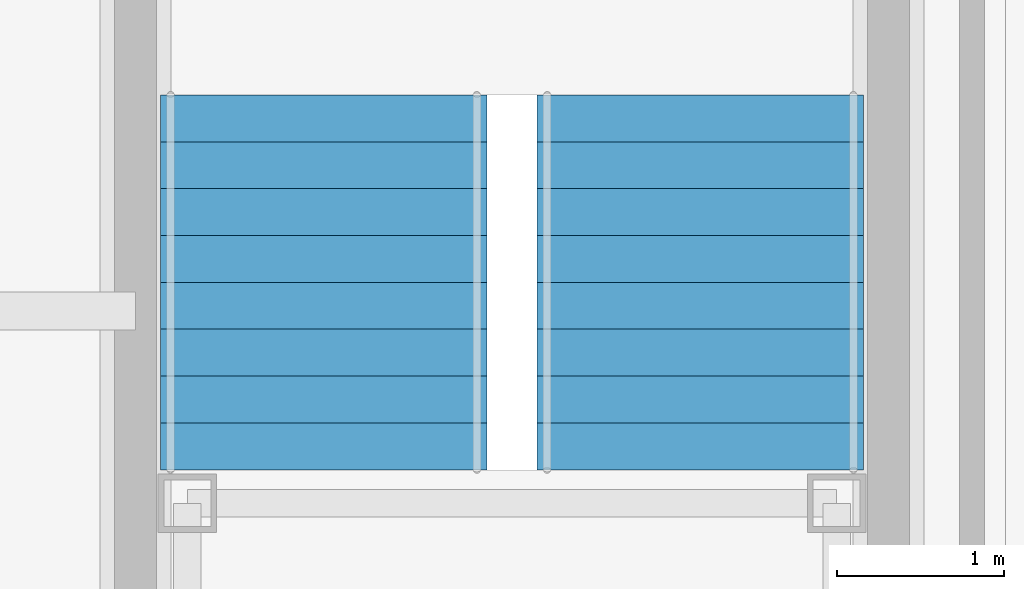
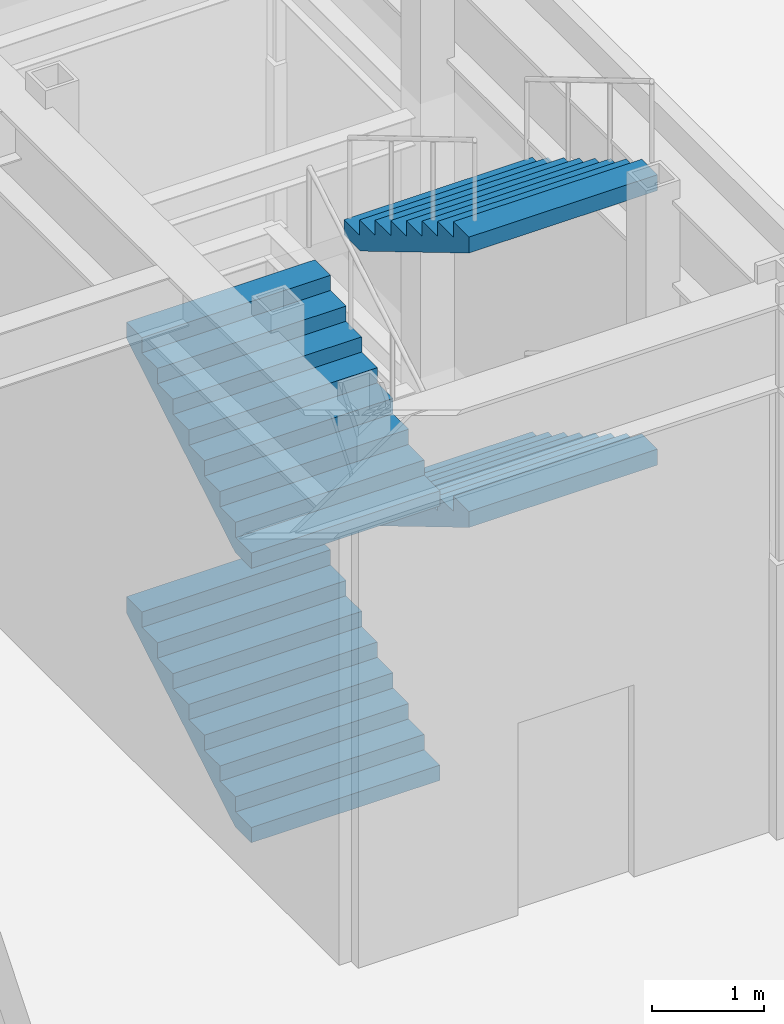
# One storey, part 15 of 35: 4 stair flights, 1 element without a shape of its own.
"""IFC4 building model written with IfcOpenShell, lengths in metres."""

from ifc_helpers import new_model, si_unit, direction, frame, origin, place, context, subcontext, project, spatial, faceted_brep, material, type_object, element, aggregate, save


model = new_model("IFC4")

# Units and contexts
model_context = context("Model", 3, precision=1e-05, world=origin(), true_north=direction((0.0, 1.0)))
body_context = subcontext(model_context, "Body", "Model", "MODEL_VIEW")
ifc_project = project(units=[si_unit("LENGTHUNIT", "METRE"), si_unit("AREAUNIT", "SQUARE_METRE"), si_unit("VOLUMEUNIT", "CUBIC_METRE"), si_unit("PLANEANGLEUNIT", "RADIAN"), si_unit("MASSUNIT", "GRAM", prefix="KILO")], contexts=[model_context])

# Site, building, storey
site_placement = place(None, origin())
site = spatial("IfcSite", under=ifc_project, at=site_placement, CompositionType="ELEMENT")
building_placement = place(site_placement, origin())
building = spatial("IfcBuilding", under=site, at=building_placement, Name="Chuquiago Exchange Tower", CompositionType="ELEMENT")
storey_placement = place(building_placement, origin())
storey = spatial("IfcBuildingStorey", under=building, at=storey_placement, Name="L00", CompositionType="ELEMENT", Elevation=0.0)

# Stair, stair flights
ifc_material_1 = material(Name="Concrete C30/37, precast", Category="concrete")
stair_type = type_object("IfcStairType", Name="PS4 double half-turn stair 6000", PredefinedType="DOUBLE_RETURN_STAIR", material=ifc_material_1)
stair_placement = place(storey_placement, origin())
stair = element("IfcStair", 1, at=stair_placement, inside=storey, type_object=stair_type, Name="Stair PS4 L00", PredefinedType="DOUBLE_RETURN_STAIR")
ifc_material_2 = material(Name="Concrete C30/37, precast", Category="concrete")
stair_flight_type = type_object("IfcStairFlightType", Name="ST-F flight 1950 for 6000 storey", PredefinedType="STRAIGHT", material=ifc_material_2)
stair_flight_1_placement = place(storey_placement, frame((50.625, 38.050048828125, 0.0), z_axis=(0.0, 0.0, 1.0), x_axis=(0.0, 1.0, 0.0)))
stair_flight_1 = element("IfcStairFlight", 2, at=stair_flight_1_placement, type_object=stair_flight_type, Name="PS4 flight 1", NumberOfRisers=9, NumberOfTreads=8, PredefinedType="STRAIGHT", RiserHeight=0.166666667, TreadLength=0.28, context=body_context, shape_type="Brep", body=[
    faceted_brep([(0.0, 0.97509765625, 0.0), (0.0, 0.97509765625, 0.166748046875), (0.280029296875, 0.97509765625, 0.166748046875), (0.280029296875, 0.97509765625, 0.333251953125), (0.56005859375, 0.97509765625, 0.333251953125), (0.56005859375, 0.97509765625, 0.5), (0.840087890625, 0.97509765625, 0.5), (0.840087890625, 0.97509765625, 0.666748046875), (1.1201171875, 0.97509765625, 0.666748046875), (1.1201171875, 0.97509765625, 0.833251953125), (1.39990234375, 0.97509765625, 0.833251953125), (1.39990234375, 0.97509765625, 1.0), (1.679931640625, 0.97509765625, 1.0), (1.679931640625, 0.97509765625, 1.166748046875), (1.9599609375, 0.97509765625, 1.166748046875), (1.9599609375, 0.97509765625, 1.333251953125), (2.239990234375, 0.97509765625, 1.333251953125), (2.239990234375, 0.97509765625, 1.158935546875), (0.29296875, 0.97509765625, 0.0), (0.29296875, -0.97509765625, 0.0), (2.239990234375, -0.97509765625, 1.158935546875), (2.239990234375, -0.97509765625, 1.333251953125), (1.9599609375, -0.97509765625, 1.333251953125), (1.9599609375, -0.97509765625, 1.166748046875), (1.679931640625, -0.97509765625, 1.166748046875), (1.679931640625, -0.97509765625, 1.0), (1.39990234375, -0.97509765625, 1.0), (1.39990234375, -0.97509765625, 0.833251953125), (1.1201171875, -0.97509765625, 0.833251953125), (1.1201171875, -0.97509765625, 0.666748046875), (0.840087890625, -0.97509765625, 0.666748046875), (0.840087890625, -0.97509765625, 0.5), (0.56005859375, -0.97509765625, 0.5), (0.56005859375, -0.97509765625, 0.333251953125), (0.280029296875, -0.97509765625, 0.333251953125), (0.280029296875, -0.97509765625, 0.166748046875), (0.0, -0.97509765625, 0.166748046875), (0.0, -0.97509765625, 0.0), (0.0, 0.487548828125, 0.0), (0.0, 0.487548828125, 0.166748046875), (0.0, 0.0, 0.0), (0.0, 0.0, 0.166748046875), (0.0, -0.487548828125, 0.0), (0.0, -0.487548828125, 0.166748046875), (0.280029296875, 0.487548828125, 0.166748046875), (0.280029296875, 0.0, 0.166748046875), (0.280029296875, -0.487548828125, 0.166748046875), (0.280029296875, 0.487548828125, 0.333251953125), (0.280029296875, 0.0, 0.333251953125), (0.280029296875, -0.487548828125, 0.333251953125), (0.56005859375, 0.487548828125, 0.333251953125), (0.56005859375, 0.0, 0.333251953125), (0.56005859375, -0.487548828125, 0.333251953125), (0.56005859375, 0.487548828125, 0.5), (0.56005859375, 0.0, 0.5), (0.56005859375, -0.487548828125, 0.5), (0.840087890625, 0.487548828125, 0.5), (0.840087890625, 0.0, 0.5), (0.840087890625, -0.487548828125, 0.5), (0.840087890625, 0.487548828125, 0.666748046875), (0.840087890625, 0.0, 0.666748046875), (0.840087890625, -0.487548828125, 0.666748046875), (1.1201171875, 0.487548828125, 0.666748046875), (1.1201171875, 0.0, 0.666748046875), (1.1201171875, -0.487548828125, 0.666748046875), (1.1201171875, 0.487548828125, 0.833251953125), (1.1201171875, 0.0, 0.833251953125), (1.1201171875, -0.487548828125, 0.833251953125), (1.39990234375, 0.487548828125, 0.833251953125), (1.39990234375, 0.0, 0.833251953125), (1.39990234375, -0.487548828125, 0.833251953125), (1.39990234375, 0.487548828125, 1.0), (1.39990234375, 0.0, 1.0), (1.39990234375, -0.487548828125, 1.0), (1.679931640625, 0.487548828125, 1.0), (1.679931640625, 0.0, 1.0), (1.679931640625, -0.487548828125, 1.0), (1.679931640625, 0.487548828125, 1.166748046875), (1.679931640625, 0.0, 1.166748046875), (1.679931640625, -0.487548828125, 1.166748046875), (1.9599609375, 0.487548828125, 1.166748046875), (1.9599609375, 0.0, 1.166748046875), (1.9599609375, -0.487548828125, 1.166748046875), (1.9599609375, 0.487548828125, 1.333251953125), (1.9599609375, 0.0, 1.333251953125), (1.9599609375, -0.487548828125, 1.333251953125), (2.239990234375, 0.487548828125, 1.333251953125), (2.239990234375, 0.0, 1.333251953125), (2.239990234375, -0.487548828125, 1.333251953125), (2.239990234375, 0.487548828125, 1.158935546875), (2.239990234375, 0.0, 1.158935546875), (2.239990234375, -0.487548828125, 1.158935546875), (0.29296875, 0.487548828125, 0.0), (0.29296875, 0.0, 0.0), (0.29296875, -0.487548828125, 0.0)], [[[0, 1, 2, 3, 4, 5, 6, 7, 8, 9, 10, 11, 12, 13, 14, 15, 16, 17, 18]], [[19, 20, 21, 22, 23, 24, 25, 26, 27, 28, 29, 30, 31, 32, 33, 34, 35, 36, 37]], [[1, 0, 38, 39]], [[39, 38, 40, 41]], [[41, 40, 42, 43]], [[43, 42, 37, 36]], [[2, 1, 39, 44]], [[44, 39, 41, 45]], [[45, 41, 43, 46]], [[46, 43, 36, 35]], [[3, 2, 44, 47]], [[47, 44, 45, 48]], [[48, 45, 46, 49]], [[49, 46, 35, 34]], [[4, 3, 47, 50]], [[50, 47, 48, 51]], [[51, 48, 49, 52]], [[52, 49, 34, 33]], [[5, 4, 50, 53]], [[53, 50, 51, 54]], [[54, 51, 52, 55]], [[55, 52, 33, 32]], [[6, 5, 53, 56]], [[56, 53, 54, 57]], [[57, 54, 55, 58]], [[58, 55, 32, 31]], [[7, 6, 56, 59]], [[59, 56, 57, 60]], [[60, 57, 58, 61]], [[61, 58, 31, 30]], [[8, 7, 59, 62]], [[62, 59, 60, 63]], [[63, 60, 61, 64]], [[64, 61, 30, 29]], [[9, 8, 62, 65]], [[65, 62, 63, 66]], [[66, 63, 64, 67]], [[67, 64, 29, 28]], [[10, 9, 65, 68]], [[68, 65, 66, 69]], [[69, 66, 67, 70]], [[70, 67, 28, 27]], [[11, 10, 68, 71]], [[71, 68, 69, 72]], [[72, 69, 70, 73]], [[73, 70, 27, 26]], [[12, 11, 71, 74]], [[74, 71, 72, 75]], [[75, 72, 73, 76]], [[76, 73, 26, 25]], [[13, 12, 74, 77]], [[77, 74, 75, 78]], [[78, 75, 76, 79]], [[79, 76, 25, 24]], [[14, 13, 77, 80]], [[80, 77, 78, 81]], [[81, 78, 79, 82]], [[82, 79, 24, 23]], [[15, 14, 80, 83]], [[83, 80, 81, 84]], [[84, 81, 82, 85]], [[85, 82, 23, 22]], [[16, 15, 83, 86]], [[86, 83, 84, 87]], [[87, 84, 85, 88]], [[88, 85, 22, 21]], [[17, 16, 86, 89]], [[89, 86, 87, 90]], [[90, 87, 88, 91]], [[91, 88, 21, 20]], [[18, 17, 89, 92]], [[92, 89, 90, 93]], [[93, 90, 91, 94]], [[94, 91, 20, 19]], [[0, 18, 92, 38]], [[38, 92, 93, 40]], [[40, 93, 94, 42]], [[42, 94, 19, 37]]]),
])
stair_flight_2_placement = place(storey_placement, frame((52.875, 40.2900390625, 1.5), z_axis=(0.0, 0.0, 1.0), x_axis=(0.0, -1.0, 0.0)))
stair_flight_2 = element("IfcStairFlight", 3, at=stair_flight_2_placement, type_object=stair_flight_type, Name="PS4 flight 2", NumberOfRisers=9, NumberOfTreads=8, PredefinedType="STRAIGHT", RiserHeight=0.166666667, TreadLength=0.28, context=body_context, shape_type="Brep", body=[
    faceted_brep([(0.0, 0.97509765625, 0.0), (0.0, 0.97509765625, 0.166748046875), (0.280029296875, 0.97509765625, 0.166748046875), (0.280029296875, 0.97509765625, 0.333251953125), (0.56005859375, 0.97509765625, 0.333251953125), (0.56005859375, 0.97509765625, 0.5), (0.840087890625, 0.97509765625, 0.5), (0.840087890625, 0.97509765625, 0.666748046875), (1.1201171875, 0.97509765625, 0.666748046875), (1.1201171875, 0.97509765625, 0.833251953125), (1.39990234375, 0.97509765625, 0.833251953125), (1.39990234375, 0.97509765625, 1.0), (1.679931640625, 0.97509765625, 1.0), (1.679931640625, 0.97509765625, 1.166748046875), (1.9599609375, 0.97509765625, 1.166748046875), (1.9599609375, 0.97509765625, 1.333251953125), (2.239990234375, 0.97509765625, 1.333251953125), (2.239990234375, 0.97509765625, 1.158935546875), (0.29296875, 0.97509765625, 0.0), (0.29296875, -0.97509765625, 0.0), (2.239990234375, -0.97509765625, 1.158935546875), (2.239990234375, -0.97509765625, 1.333251953125), (1.9599609375, -0.97509765625, 1.333251953125), (1.9599609375, -0.97509765625, 1.166748046875), (1.679931640625, -0.97509765625, 1.166748046875), (1.679931640625, -0.97509765625, 1.0), (1.39990234375, -0.97509765625, 1.0), (1.39990234375, -0.97509765625, 0.833251953125), (1.1201171875, -0.97509765625, 0.833251953125), (1.1201171875, -0.97509765625, 0.666748046875), (0.840087890625, -0.97509765625, 0.666748046875), (0.840087890625, -0.97509765625, 0.5), (0.56005859375, -0.97509765625, 0.5), (0.56005859375, -0.97509765625, 0.333251953125), (0.280029296875, -0.97509765625, 0.333251953125), (0.280029296875, -0.97509765625, 0.166748046875), (0.0, -0.97509765625, 0.166748046875), (0.0, -0.97509765625, 0.0), (0.0, 0.487548828125, 0.0), (0.0, 0.487548828125, 0.166748046875), (0.0, 0.0, 0.0), (0.0, 0.0, 0.166748046875), (0.0, -0.487548828125, 0.0), (0.0, -0.487548828125, 0.166748046875), (0.280029296875, 0.487548828125, 0.166748046875), (0.280029296875, 0.0, 0.166748046875), (0.280029296875, -0.487548828125, 0.166748046875), (0.280029296875, 0.487548828125, 0.333251953125), (0.280029296875, 0.0, 0.333251953125), (0.280029296875, -0.487548828125, 0.333251953125), (0.56005859375, 0.487548828125, 0.333251953125), (0.56005859375, 0.0, 0.333251953125), (0.56005859375, -0.487548828125, 0.333251953125), (0.56005859375, 0.487548828125, 0.5), (0.56005859375, 0.0, 0.5), (0.56005859375, -0.487548828125, 0.5), (0.840087890625, 0.487548828125, 0.5), (0.840087890625, 0.0, 0.5), (0.840087890625, -0.487548828125, 0.5), (0.840087890625, 0.487548828125, 0.666748046875), (0.840087890625, 0.0, 0.666748046875), (0.840087890625, -0.487548828125, 0.666748046875), (1.1201171875, 0.487548828125, 0.666748046875), (1.1201171875, 0.0, 0.666748046875), (1.1201171875, -0.487548828125, 0.666748046875), (1.1201171875, 0.487548828125, 0.833251953125), (1.1201171875, 0.0, 0.833251953125), (1.1201171875, -0.487548828125, 0.833251953125), (1.39990234375, 0.487548828125, 0.833251953125), (1.39990234375, 0.0, 0.833251953125), (1.39990234375, -0.487548828125, 0.833251953125), (1.39990234375, 0.487548828125, 1.0), (1.39990234375, 0.0, 1.0), (1.39990234375, -0.487548828125, 1.0), (1.679931640625, 0.487548828125, 1.0), (1.679931640625, 0.0, 1.0), (1.679931640625, -0.487548828125, 1.0), (1.679931640625, 0.487548828125, 1.166748046875), (1.679931640625, 0.0, 1.166748046875), (1.679931640625, -0.487548828125, 1.166748046875), (1.9599609375, 0.487548828125, 1.166748046875), (1.9599609375, 0.0, 1.166748046875), (1.9599609375, -0.487548828125, 1.166748046875), (1.9599609375, 0.487548828125, 1.333251953125), (1.9599609375, 0.0, 1.333251953125), (1.9599609375, -0.487548828125, 1.333251953125), (2.239990234375, 0.487548828125, 1.333251953125), (2.239990234375, 0.0, 1.333251953125), (2.239990234375, -0.487548828125, 1.333251953125), (2.239990234375, 0.487548828125, 1.158935546875), (2.239990234375, 0.0, 1.158935546875), (2.239990234375, -0.487548828125, 1.158935546875), (0.29296875, 0.487548828125, 0.0), (0.29296875, 0.0, 0.0), (0.29296875, -0.487548828125, 0.0)], [[[0, 1, 2, 3, 4, 5, 6, 7, 8, 9, 10, 11, 12, 13, 14, 15, 16, 17, 18]], [[19, 20, 21, 22, 23, 24, 25, 26, 27, 28, 29, 30, 31, 32, 33, 34, 35, 36, 37]], [[1, 0, 38, 39]], [[39, 38, 40, 41]], [[41, 40, 42, 43]], [[43, 42, 37, 36]], [[2, 1, 39, 44]], [[44, 39, 41, 45]], [[45, 41, 43, 46]], [[46, 43, 36, 35]], [[3, 2, 44, 47]], [[47, 44, 45, 48]], [[48, 45, 46, 49]], [[49, 46, 35, 34]], [[4, 3, 47, 50]], [[50, 47, 48, 51]], [[51, 48, 49, 52]], [[52, 49, 34, 33]], [[5, 4, 50, 53]], [[53, 50, 51, 54]], [[54, 51, 52, 55]], [[55, 52, 33, 32]], [[6, 5, 53, 56]], [[56, 53, 54, 57]], [[57, 54, 55, 58]], [[58, 55, 32, 31]], [[7, 6, 56, 59]], [[59, 56, 57, 60]], [[60, 57, 58, 61]], [[61, 58, 31, 30]], [[8, 7, 59, 62]], [[62, 59, 60, 63]], [[63, 60, 61, 64]], [[64, 61, 30, 29]], [[9, 8, 62, 65]], [[65, 62, 63, 66]], [[66, 63, 64, 67]], [[67, 64, 29, 28]], [[10, 9, 65, 68]], [[68, 65, 66, 69]], [[69, 66, 67, 70]], [[70, 67, 28, 27]], [[11, 10, 68, 71]], [[71, 68, 69, 72]], [[72, 69, 70, 73]], [[73, 70, 27, 26]], [[12, 11, 71, 74]], [[74, 71, 72, 75]], [[75, 72, 73, 76]], [[76, 73, 26, 25]], [[13, 12, 74, 77]], [[77, 74, 75, 78]], [[78, 75, 76, 79]], [[79, 76, 25, 24]], [[14, 13, 77, 80]], [[80, 77, 78, 81]], [[81, 78, 79, 82]], [[82, 79, 24, 23]], [[15, 14, 80, 83]], [[83, 80, 81, 84]], [[84, 81, 82, 85]], [[85, 82, 23, 22]], [[16, 15, 83, 86]], [[86, 83, 84, 87]], [[87, 84, 85, 88]], [[88, 85, 22, 21]], [[17, 16, 86, 89]], [[89, 86, 87, 90]], [[90, 87, 88, 91]], [[91, 88, 21, 20]], [[18, 17, 89, 92]], [[92, 89, 90, 93]], [[93, 90, 91, 94]], [[94, 91, 20, 19]], [[0, 18, 92, 38]], [[38, 92, 93, 40]], [[40, 93, 94, 42]], [[42, 94, 19, 37]]]),
])
stair_flight_3_placement = place(storey_placement, frame((50.625, 38.050048828125, 3.0), z_axis=(0.0, 0.0, 1.0), x_axis=(0.0, 1.0, 0.0)))
stair_flight_3 = element("IfcStairFlight", 4, at=stair_flight_3_placement, type_object=stair_flight_type, Name="PS4 flight 3", NumberOfRisers=9, NumberOfTreads=8, PredefinedType="STRAIGHT", RiserHeight=0.166666667, TreadLength=0.28, context=body_context, shape_type="Brep", body=[
    faceted_brep([(0.0, 0.97509765625, 0.0), (0.0, 0.97509765625, 0.166748046875), (0.280029296875, 0.97509765625, 0.166748046875), (0.280029296875, 0.97509765625, 0.333251953125), (0.56005859375, 0.97509765625, 0.333251953125), (0.56005859375, 0.97509765625, 0.5), (0.840087890625, 0.97509765625, 0.5), (0.840087890625, 0.97509765625, 0.666748046875), (1.1201171875, 0.97509765625, 0.666748046875), (1.1201171875, 0.97509765625, 0.833251953125), (1.39990234375, 0.97509765625, 0.833251953125), (1.39990234375, 0.97509765625, 1.0), (1.679931640625, 0.97509765625, 1.0), (1.679931640625, 0.97509765625, 1.166748046875), (1.9599609375, 0.97509765625, 1.166748046875), (1.9599609375, 0.97509765625, 1.333251953125), (2.239990234375, 0.97509765625, 1.333251953125), (2.239990234375, 0.97509765625, 1.158935546875), (0.29296875, 0.97509765625, 0.0), (0.29296875, -0.97509765625, 0.0), (2.239990234375, -0.97509765625, 1.158935546875), (2.239990234375, -0.97509765625, 1.333251953125), (1.9599609375, -0.97509765625, 1.333251953125), (1.9599609375, -0.97509765625, 1.166748046875), (1.679931640625, -0.97509765625, 1.166748046875), (1.679931640625, -0.97509765625, 1.0), (1.39990234375, -0.97509765625, 1.0), (1.39990234375, -0.97509765625, 0.833251953125), (1.1201171875, -0.97509765625, 0.833251953125), (1.1201171875, -0.97509765625, 0.666748046875), (0.840087890625, -0.97509765625, 0.666748046875), (0.840087890625, -0.97509765625, 0.5), (0.56005859375, -0.97509765625, 0.5), (0.56005859375, -0.97509765625, 0.333251953125), (0.280029296875, -0.97509765625, 0.333251953125), (0.280029296875, -0.97509765625, 0.166748046875), (0.0, -0.97509765625, 0.166748046875), (0.0, -0.97509765625, 0.0), (0.0, 0.487548828125, 0.0), (0.0, 0.487548828125, 0.166748046875), (0.0, 0.0, 0.0), (0.0, 0.0, 0.166748046875), (0.0, -0.487548828125, 0.0), (0.0, -0.487548828125, 0.166748046875), (0.280029296875, 0.487548828125, 0.166748046875), (0.280029296875, 0.0, 0.166748046875), (0.280029296875, -0.487548828125, 0.166748046875), (0.280029296875, 0.487548828125, 0.333251953125), (0.280029296875, 0.0, 0.333251953125), (0.280029296875, -0.487548828125, 0.333251953125), (0.56005859375, 0.487548828125, 0.333251953125), (0.56005859375, 0.0, 0.333251953125), (0.56005859375, -0.487548828125, 0.333251953125), (0.56005859375, 0.487548828125, 0.5), (0.56005859375, 0.0, 0.5), (0.56005859375, -0.487548828125, 0.5), (0.840087890625, 0.487548828125, 0.5), (0.840087890625, 0.0, 0.5), (0.840087890625, -0.487548828125, 0.5), (0.840087890625, 0.487548828125, 0.666748046875), (0.840087890625, 0.0, 0.666748046875), (0.840087890625, -0.487548828125, 0.666748046875), (1.1201171875, 0.487548828125, 0.666748046875), (1.1201171875, 0.0, 0.666748046875), (1.1201171875, -0.487548828125, 0.666748046875), (1.1201171875, 0.487548828125, 0.833251953125), (1.1201171875, 0.0, 0.833251953125), (1.1201171875, -0.487548828125, 0.833251953125), (1.39990234375, 0.487548828125, 0.833251953125), (1.39990234375, 0.0, 0.833251953125), (1.39990234375, -0.487548828125, 0.833251953125), (1.39990234375, 0.487548828125, 1.0), (1.39990234375, 0.0, 1.0), (1.39990234375, -0.487548828125, 1.0), (1.679931640625, 0.487548828125, 1.0), (1.679931640625, 0.0, 1.0), (1.679931640625, -0.487548828125, 1.0), (1.679931640625, 0.487548828125, 1.166748046875), (1.679931640625, 0.0, 1.166748046875), (1.679931640625, -0.487548828125, 1.166748046875), (1.9599609375, 0.487548828125, 1.166748046875), (1.9599609375, 0.0, 1.166748046875), (1.9599609375, -0.487548828125, 1.166748046875), (1.9599609375, 0.487548828125, 1.333251953125), (1.9599609375, 0.0, 1.333251953125), (1.9599609375, -0.487548828125, 1.333251953125), (2.239990234375, 0.487548828125, 1.333251953125), (2.239990234375, 0.0, 1.333251953125), (2.239990234375, -0.487548828125, 1.333251953125), (2.239990234375, 0.487548828125, 1.158935546875), (2.239990234375, 0.0, 1.158935546875), (2.239990234375, -0.487548828125, 1.158935546875), (0.29296875, 0.487548828125, 0.0), (0.29296875, 0.0, 0.0), (0.29296875, -0.487548828125, 0.0)], [[[0, 1, 2, 3, 4, 5, 6, 7, 8, 9, 10, 11, 12, 13, 14, 15, 16, 17, 18]], [[19, 20, 21, 22, 23, 24, 25, 26, 27, 28, 29, 30, 31, 32, 33, 34, 35, 36, 37]], [[1, 0, 38, 39]], [[39, 38, 40, 41]], [[41, 40, 42, 43]], [[43, 42, 37, 36]], [[2, 1, 39, 44]], [[44, 39, 41, 45]], [[45, 41, 43, 46]], [[46, 43, 36, 35]], [[3, 2, 44, 47]], [[47, 44, 45, 48]], [[48, 45, 46, 49]], [[49, 46, 35, 34]], [[4, 3, 47, 50]], [[50, 47, 48, 51]], [[51, 48, 49, 52]], [[52, 49, 34, 33]], [[5, 4, 50, 53]], [[53, 50, 51, 54]], [[54, 51, 52, 55]], [[55, 52, 33, 32]], [[6, 5, 53, 56]], [[56, 53, 54, 57]], [[57, 54, 55, 58]], [[58, 55, 32, 31]], [[7, 6, 56, 59]], [[59, 56, 57, 60]], [[60, 57, 58, 61]], [[61, 58, 31, 30]], [[8, 7, 59, 62]], [[62, 59, 60, 63]], [[63, 60, 61, 64]], [[64, 61, 30, 29]], [[9, 8, 62, 65]], [[65, 62, 63, 66]], [[66, 63, 64, 67]], [[67, 64, 29, 28]], [[10, 9, 65, 68]], [[68, 65, 66, 69]], [[69, 66, 67, 70]], [[70, 67, 28, 27]], [[11, 10, 68, 71]], [[71, 68, 69, 72]], [[72, 69, 70, 73]], [[73, 70, 27, 26]], [[12, 11, 71, 74]], [[74, 71, 72, 75]], [[75, 72, 73, 76]], [[76, 73, 26, 25]], [[13, 12, 74, 77]], [[77, 74, 75, 78]], [[78, 75, 76, 79]], [[79, 76, 25, 24]], [[14, 13, 77, 80]], [[80, 77, 78, 81]], [[81, 78, 79, 82]], [[82, 79, 24, 23]], [[15, 14, 80, 83]], [[83, 80, 81, 84]], [[84, 81, 82, 85]], [[85, 82, 23, 22]], [[16, 15, 83, 86]], [[86, 83, 84, 87]], [[87, 84, 85, 88]], [[88, 85, 22, 21]], [[17, 16, 86, 89]], [[89, 86, 87, 90]], [[90, 87, 88, 91]], [[91, 88, 21, 20]], [[18, 17, 89, 92]], [[92, 89, 90, 93]], [[93, 90, 91, 94]], [[94, 91, 20, 19]], [[0, 18, 92, 38]], [[38, 92, 93, 40]], [[40, 93, 94, 42]], [[42, 94, 19, 37]]]),
])
stair_flight_4_placement = place(storey_placement, frame((52.875, 40.2900390625, 4.5), z_axis=(0.0, 0.0, 1.0), x_axis=(0.0, -1.0, 0.0)))
stair_flight_4 = element("IfcStairFlight", 5, at=stair_flight_4_placement, type_object=stair_flight_type, Name="PS4 flight 4", NumberOfRisers=9, NumberOfTreads=8, PredefinedType="STRAIGHT", RiserHeight=0.166666667, TreadLength=0.28, context=body_context, shape_type="Brep", body=[
    faceted_brep([(0.0, 0.97509765625, 0.0), (0.0, 0.97509765625, 0.166748046875), (0.280029296875, 0.97509765625, 0.166748046875), (0.280029296875, 0.97509765625, 0.333251953125), (0.56005859375, 0.97509765625, 0.333251953125), (0.56005859375, 0.97509765625, 0.5), (0.840087890625, 0.97509765625, 0.5), (0.840087890625, 0.97509765625, 0.666748046875), (1.1201171875, 0.97509765625, 0.666748046875), (1.1201171875, 0.97509765625, 0.833251953125), (1.39990234375, 0.97509765625, 0.833251953125), (1.39990234375, 0.97509765625, 1.0), (1.679931640625, 0.97509765625, 1.0), (1.679931640625, 0.97509765625, 1.166748046875), (1.9599609375, 0.97509765625, 1.166748046875), (1.9599609375, 0.97509765625, 1.333251953125), (2.239990234375, 0.97509765625, 1.333251953125), (2.239990234375, 0.97509765625, 1.158935546875), (0.29296875, 0.97509765625, 0.0), (0.29296875, -0.97509765625, 0.0), (2.239990234375, -0.97509765625, 1.158935546875), (2.239990234375, -0.97509765625, 1.333251953125), (1.9599609375, -0.97509765625, 1.333251953125), (1.9599609375, -0.97509765625, 1.166748046875), (1.679931640625, -0.97509765625, 1.166748046875), (1.679931640625, -0.97509765625, 1.0), (1.39990234375, -0.97509765625, 1.0), (1.39990234375, -0.97509765625, 0.833251953125), (1.1201171875, -0.97509765625, 0.833251953125), (1.1201171875, -0.97509765625, 0.666748046875), (0.840087890625, -0.97509765625, 0.666748046875), (0.840087890625, -0.97509765625, 0.5), (0.56005859375, -0.97509765625, 0.5), (0.56005859375, -0.97509765625, 0.333251953125), (0.280029296875, -0.97509765625, 0.333251953125), (0.280029296875, -0.97509765625, 0.166748046875), (0.0, -0.97509765625, 0.166748046875), (0.0, -0.97509765625, 0.0), (0.0, 0.487548828125, 0.0), (0.0, 0.487548828125, 0.166748046875), (0.0, 0.0, 0.0), (0.0, 0.0, 0.166748046875), (0.0, -0.487548828125, 0.0), (0.0, -0.487548828125, 0.166748046875), (0.280029296875, 0.487548828125, 0.166748046875), (0.280029296875, 0.0, 0.166748046875), (0.280029296875, -0.487548828125, 0.166748046875), (0.280029296875, 0.487548828125, 0.333251953125), (0.280029296875, 0.0, 0.333251953125), (0.280029296875, -0.487548828125, 0.333251953125), (0.56005859375, 0.487548828125, 0.333251953125), (0.56005859375, 0.0, 0.333251953125), (0.56005859375, -0.487548828125, 0.333251953125), (0.56005859375, 0.487548828125, 0.5), (0.56005859375, 0.0, 0.5), (0.56005859375, -0.487548828125, 0.5), (0.840087890625, 0.487548828125, 0.5), (0.840087890625, 0.0, 0.5), (0.840087890625, -0.487548828125, 0.5), (0.840087890625, 0.487548828125, 0.666748046875), (0.840087890625, 0.0, 0.666748046875), (0.840087890625, -0.487548828125, 0.666748046875), (1.1201171875, 0.487548828125, 0.666748046875), (1.1201171875, 0.0, 0.666748046875), (1.1201171875, -0.487548828125, 0.666748046875), (1.1201171875, 0.487548828125, 0.833251953125), (1.1201171875, 0.0, 0.833251953125), (1.1201171875, -0.487548828125, 0.833251953125), (1.39990234375, 0.487548828125, 0.833251953125), (1.39990234375, 0.0, 0.833251953125), (1.39990234375, -0.487548828125, 0.833251953125), (1.39990234375, 0.487548828125, 1.0), (1.39990234375, 0.0, 1.0), (1.39990234375, -0.487548828125, 1.0), (1.679931640625, 0.487548828125, 1.0), (1.679931640625, 0.0, 1.0), (1.679931640625, -0.487548828125, 1.0), (1.679931640625, 0.487548828125, 1.166748046875), (1.679931640625, 0.0, 1.166748046875), (1.679931640625, -0.487548828125, 1.166748046875), (1.9599609375, 0.487548828125, 1.166748046875), (1.9599609375, 0.0, 1.166748046875), (1.9599609375, -0.487548828125, 1.166748046875), (1.9599609375, 0.487548828125, 1.333251953125), (1.9599609375, 0.0, 1.333251953125), (1.9599609375, -0.487548828125, 1.333251953125), (2.239990234375, 0.487548828125, 1.333251953125), (2.239990234375, 0.0, 1.333251953125), (2.239990234375, -0.487548828125, 1.333251953125), (2.239990234375, 0.487548828125, 1.158935546875), (2.239990234375, 0.0, 1.158935546875), (2.239990234375, -0.487548828125, 1.158935546875), (0.29296875, 0.487548828125, 0.0), (0.29296875, 0.0, 0.0), (0.29296875, -0.487548828125, 0.0)], [[[0, 1, 2, 3, 4, 5, 6, 7, 8, 9, 10, 11, 12, 13, 14, 15, 16, 17, 18]], [[19, 20, 21, 22, 23, 24, 25, 26, 27, 28, 29, 30, 31, 32, 33, 34, 35, 36, 37]], [[1, 0, 38, 39]], [[39, 38, 40, 41]], [[41, 40, 42, 43]], [[43, 42, 37, 36]], [[2, 1, 39, 44]], [[44, 39, 41, 45]], [[45, 41, 43, 46]], [[46, 43, 36, 35]], [[3, 2, 44, 47]], [[47, 44, 45, 48]], [[48, 45, 46, 49]], [[49, 46, 35, 34]], [[4, 3, 47, 50]], [[50, 47, 48, 51]], [[51, 48, 49, 52]], [[52, 49, 34, 33]], [[5, 4, 50, 53]], [[53, 50, 51, 54]], [[54, 51, 52, 55]], [[55, 52, 33, 32]], [[6, 5, 53, 56]], [[56, 53, 54, 57]], [[57, 54, 55, 58]], [[58, 55, 32, 31]], [[7, 6, 56, 59]], [[59, 56, 57, 60]], [[60, 57, 58, 61]], [[61, 58, 31, 30]], [[8, 7, 59, 62]], [[62, 59, 60, 63]], [[63, 60, 61, 64]], [[64, 61, 30, 29]], [[9, 8, 62, 65]], [[65, 62, 63, 66]], [[66, 63, 64, 67]], [[67, 64, 29, 28]], [[10, 9, 65, 68]], [[68, 65, 66, 69]], [[69, 66, 67, 70]], [[70, 67, 28, 27]], [[11, 10, 68, 71]], [[71, 68, 69, 72]], [[72, 69, 70, 73]], [[73, 70, 27, 26]], [[12, 11, 71, 74]], [[74, 71, 72, 75]], [[75, 72, 73, 76]], [[76, 73, 26, 25]], [[13, 12, 74, 77]], [[77, 74, 75, 78]], [[78, 75, 76, 79]], [[79, 76, 25, 24]], [[14, 13, 77, 80]], [[80, 77, 78, 81]], [[81, 78, 79, 82]], [[82, 79, 24, 23]], [[15, 14, 80, 83]], [[83, 80, 81, 84]], [[84, 81, 82, 85]], [[85, 82, 23, 22]], [[16, 15, 83, 86]], [[86, 83, 84, 87]], [[87, 84, 85, 88]], [[88, 85, 22, 21]], [[17, 16, 86, 89]], [[89, 86, 87, 90]], [[90, 87, 88, 91]], [[91, 88, 21, 20]], [[18, 17, 89, 92]], [[92, 89, 90, 93]], [[93, 90, 91, 94]], [[94, 91, 20, 19]], [[0, 18, 92, 38]], [[38, 92, 93, 40]], [[40, 93, 94, 42]], [[42, 94, 19, 37]]]),
])
aggregate(stair, [stair_flight_1, stair_flight_2, stair_flight_3, stair_flight_4])

save(model, "model.ifc")
